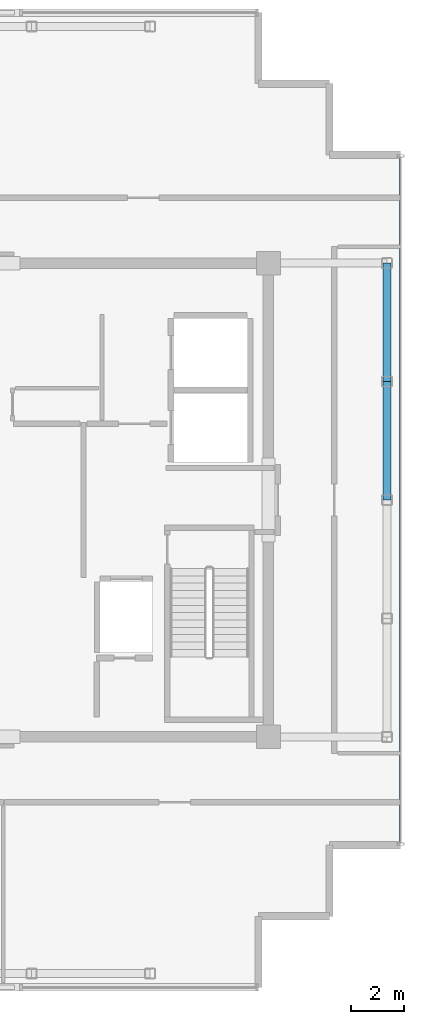
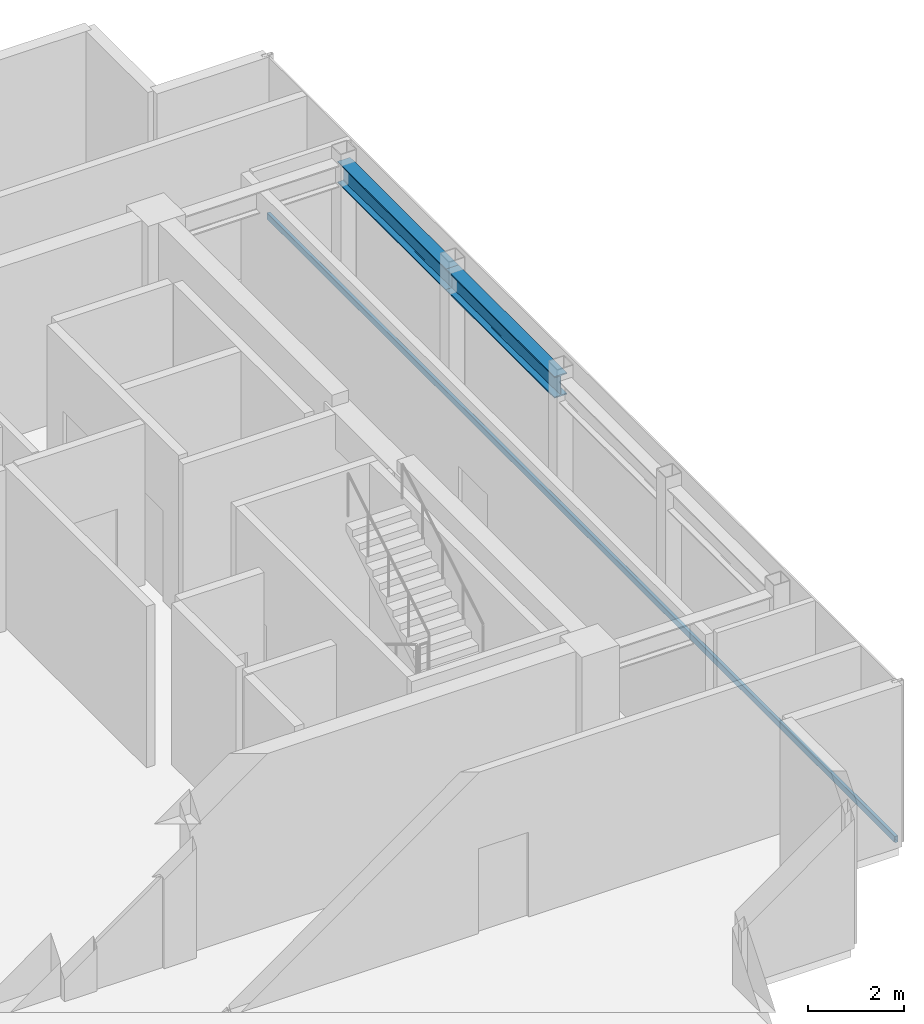
# One storey, part 8 of 14: 2 beams, 1 member, 1 element without a shape of its own.
"""IFC4 building model written with IfcOpenShell, lengths in metres."""

from ifc_helpers import new_model, si_unit, direction, frame, origin, origin_2d, place, context, subcontext, project, spatial, hollow_rectangle, i_section, extrude, source, transform, mapped, material, layer, layer_set, material_profile, profile_set, type_object, element, aggregate, save


model = new_model("IFC4")

# Units and contexts
model_context = context("Model", 3, precision=1e-05, world=origin(), true_north=direction((0.0, 1.0)))
body_context = subcontext(model_context, "Body", "Model", "MODEL_VIEW")
ifc_project = project(units=[si_unit("LENGTHUNIT", "METRE"), si_unit("AREAUNIT", "SQUARE_METRE"), si_unit("VOLUMEUNIT", "CUBIC_METRE"), si_unit("PLANEANGLEUNIT", "RADIAN"), si_unit("MASSUNIT", "GRAM", prefix="KILO")], contexts=[model_context])

# Site, building, storey
site_placement = place(None, origin())
site = spatial("IfcSite", under=ifc_project, at=site_placement, CompositionType="ELEMENT")
building_placement = place(site_placement, origin())
building = spatial("IfcBuilding", under=site, at=building_placement, Name="Nefas-Gora Pilgrimage Tower", CompositionType="ELEMENT")
storey_placement = place(building_placement, frame((0.0, 0.0, 363.0)))
storey = spatial("IfcBuildingStorey", under=building, at=storey_placement, Name="L91", CompositionType="ELEMENT", Elevation=363.0)

# Beams
ifc_material_1 = material(Name="Steel S355", Category="steel")
ifc_material_profile_1 = material_profile(ifc_material_1, i_section(OverallWidth=0.300048828125, OverallDepth=0.550048828125, WebThickness=0.014892578125, FlangeThickness=0.029052734375, FilletRadius=0.027099609375, at=origin_2d()), Name="HEB 550")
ifc_profile_set_1 = profile_set([ifc_material_profile_1], Name="Steel S355")
beam_type = type_object("IfcBeamType", Name="BM-SPN-HEB400", PredefinedType="SPANDREL", material=ifc_profile_set_1)
shared_shape_1 = source(origin(), body_context, "Body", "SweptSolid", [
    extrude(i_section(OverallWidth=0.300048828125, OverallDepth=0.550048828125, WebThickness=0.014892578125, FlangeThickness=0.029052734375, FilletRadius=0.027099609375, at=origin_2d()), origin(), (0.0, 0.0, 1.0), 4.5),
])
for number, where, z_axis, x_axis, name in (
    (1, (15.75, 0.0, 3.824951171875), (0.0, 1.0, 0.0), (-1.0, 0.0, 0.0), "L91 SP-04 beam"),
    (2, (15.75, 4.5, 3.824951171875), (0.0, 1.0, 0.0), (-1.0, 0.0, 0.0), "L91 SP-04 beam"),
):
    element("IfcBeam", number, at=place(storey_placement, frame(where, z_axis=z_axis, x_axis=x_axis)), inside=storey, type_object=beam_type, Name=name, PredefinedType="SPANDREL", context=body_context, shape_type="MappedRepresentation", body=[
        mapped(shared_shape_1, transform((0.0, 0.0, 0.0), x_axis=(1.0, 0.0, 0.0), y_axis=(0.0, 1.0, 0.0), z_axis=(0.0, 0.0, 1.0), scale=1.0)),
    ])

# Curtain wall, member
ifc_material_2 = material(Name="Dark ceramic-fritted solar-control aluminium-glass curtain wall", Category="aluminium")
ifc_layer = layer(ifc_material_2, 0.219970703125)
ifc_layer_set = layer_set([ifc_layer], Name="Dark ceramic-fritted solar-control aluminium-glass curtain wall")
curtain_wall_type = type_object("IfcCurtainWallType", Name="CW-SYS-6", PredefinedType="NOTDEFINED", material=ifc_layer_set)
curtain_wall_placement = place(storey_placement, origin())
curtain_wall = element("IfcCurtainWall", 3, at=curtain_wall_placement, inside=storey, type_object=curtain_wall_type, Name="L91 Unitised Curtain Wall CW6", PredefinedType="NOTDEFINED")
ifc_material_3 = material(Name="Anodised architectural aluminium", Category="aluminium")
ifc_material_profile_2 = material_profile(ifc_material_3, hollow_rectangle(XDim=0.080078125, YDim=0.159912109375, WallThickness=0.00439453125, InnerFilletRadius=0.00439453125, OuterFilletRadius=0.009033203125, at=origin_2d()), Name="ALU TRANSOM 80x160")
ifc_profile_set_2 = profile_set([ifc_material_profile_2], Name="Anodised architectural aluminium")
member_type = type_object("IfcMemberType", Name="CWM-TRN-6", PredefinedType="USERDEFINED", material=ifc_profile_set_2)
shared_shape_2 = source(origin(), body_context, "Body", "SweptSolid", [
    extrude(hollow_rectangle(XDim=0.080078125, YDim=0.159912109375, WallThickness=0.00439453125, InnerFilletRadius=0.00439453125, OuterFilletRadius=0.009033203125, at=origin_2d()), origin(), (0.0, 0.0, 1.0), 26.06005859375),
])
member_placement = place(storey_placement, frame((16.27001953125, -13.030029296875, 0.050048828125), z_axis=(0.0, 1.0, 0.0), x_axis=(-1.0, 0.0, 0.0)))
member = element("IfcMember", 4, at=member_placement, type_object=member_type, Name="CW6 Spandrel Transom", ObjectType="TRANSOM", PredefinedType="USERDEFINED", context=body_context, shape_type="MappedRepresentation", body=[
    mapped(shared_shape_2, transform((0.0, 0.0, 0.0), x_axis=(1.0, 0.0, 0.0), y_axis=(0.0, 1.0, 0.0), z_axis=(0.0, 0.0, 1.0), scale=1.0)),
])
aggregate(curtain_wall, [member])

save(model, "model.ifc")
